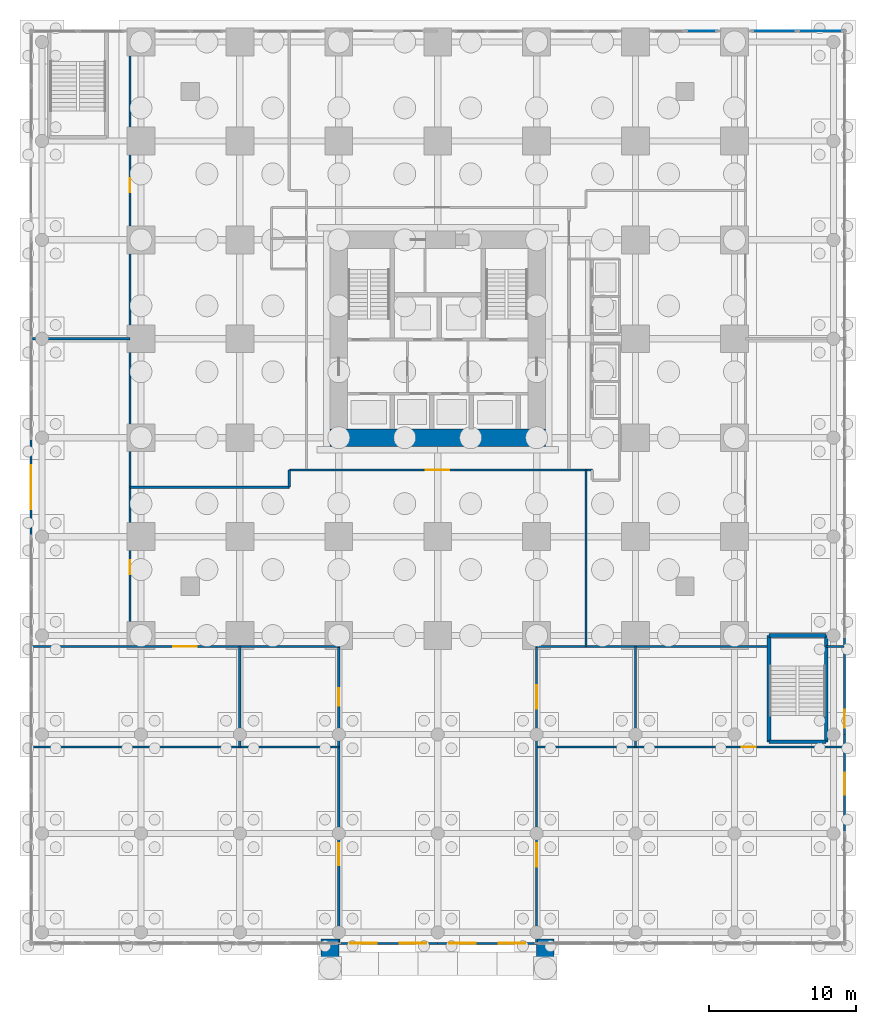
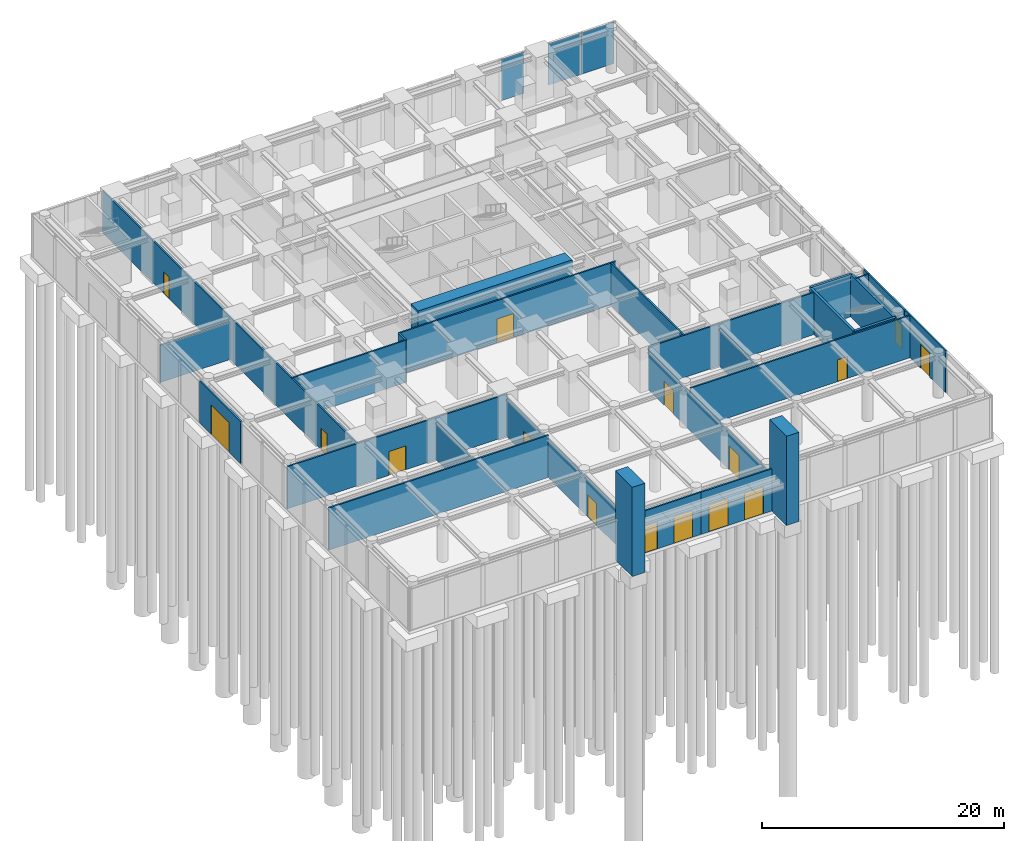
# One storey, part 9 of 14: 27 walls, 16 doors, 3 plates, 16 openings, 2 elements without a shape of their own.
"""IFC4 building model written with IfcOpenShell, lengths in metres."""

from ifc_helpers import new_model, si_unit, direction, frame, frame_2d, origin, origin_2d, place, context, subcontext, project, spatial, rectangle, extrude, material, layer, layer_set, type_object, element, fill, aggregate, save


model = new_model("IFC4")

# Units and contexts
model_context = context("Model", 3, precision=1e-05, world=origin(), true_north=direction((0.0, 1.0)))
body_context = subcontext(model_context, "Body", "Model", "MODEL_VIEW")
ifc_project = project(units=[si_unit("LENGTHUNIT", "METRE"), si_unit("AREAUNIT", "SQUARE_METRE"), si_unit("VOLUMEUNIT", "CUBIC_METRE"), si_unit("PLANEANGLEUNIT", "RADIAN"), si_unit("MASSUNIT", "GRAM", prefix="KILO")], contexts=[model_context])

# Site, building, storey
site_placement = place(None, origin())
site = spatial("IfcSite", under=ifc_project, at=site_placement, CompositionType="ELEMENT")
building_placement = place(site_placement, origin())
building = spatial("IfcBuilding", under=site, at=building_placement, Name="Nyansa Garden Tower", CompositionType="ELEMENT")
storey_placement = place(building_placement, origin())
storey = spatial("IfcBuildingStorey", under=building, at=storey_placement, Name="L00", CompositionType="ELEMENT", Elevation=0.0)

# Curtain wall, plates
ifc_material_1 = material(Name="Black anodised aluminium, clear double glazing", Category="aluminium")
curtain_wall_type = type_object("IfcCurtainWallType", Name="Podium curtain wall PCW", PredefinedType="USERDEFINED", material=ifc_material_1)
curtain_wall_1_placement = place(storey_placement, origin())
curtain_wall_1 = element("IfcCurtainWall", 1, at=curtain_wall_1_placement, inside=storey, type_object=curtain_wall_type, Name="Podium curtain wall L00 N", ObjectType="STICK CURTAIN WALL", PredefinedType="USERDEFINED")
ifc_material_2 = material(Name="Clear laminated double glazing", Category="glass")
ifc_layer_1 = layer(ifc_material_2, 0.0380859375)
ifc_layer_set_1 = layer_set([ifc_layer_1], Name="Podium vision panel VP-P")
plate_type = type_object("IfcPlateType", Name="Podium vision panel VP-P", PredefinedType="CURTAIN_PANEL", material=ifc_layer_set_1)
plate_1_placement = place(storey_placement, frame((46.376220703125, 41.25, 0.0), z_axis=(0.0, 0.0, 1.0), x_axis=(-1.0, 0.0, 0.0)))
plate_1 = element("IfcPlate", 2, at=plate_1_placement, type_object=plate_type, Name="PCW panel 1", PredefinedType="CURTAIN_PANEL", context=body_context, shape_type="SweptSolid", body=[
    extrude(rectangle(XDim=3.08740234375, YDim=0.0380859375, at=origin_2d()), origin(), (0.0, 0.0, 1.0), 4.169921875),
])
plate_2_placement = place(storey_placement, frame((43.208740234375, 41.25, 0.0), z_axis=(0.0, 0.0, 1.0), x_axis=(-1.0, 0.0, 0.0)))
plate_2 = element("IfcPlate", 3, at=plate_2_placement, type_object=plate_type, Name="PCW panel 2", PredefinedType="CURTAIN_PANEL", context=body_context, shape_type="SweptSolid", body=[
    extrude(rectangle(XDim=3.08740234375, YDim=0.0380859375, at=origin_2d()), origin(), (0.0, 0.0, 1.0), 4.169921875),
])
aggregate(curtain_wall_1, [plate_1, plate_2])

# Curtain wall, plate
curtain_wall_2_placement = place(storey_placement, origin())
curtain_wall_2 = element("IfcCurtainWall", 4, at=curtain_wall_2_placement, inside=storey, type_object=curtain_wall_type, Name="Podium curtain wall L00 N", ObjectType="STICK CURTAIN WALL", PredefinedType="USERDEFINED")
plate_3_placement = place(storey_placement, frame((38.25, 41.25, 0.0), z_axis=(0.0, 0.0, 1.0), x_axis=(-1.0, 0.0, 0.0)))
plate_3 = element("IfcPlate", 5, at=plate_3_placement, type_object=plate_type, Name="PCW panel 1", PredefinedType="CURTAIN_PANEL", context=body_context, shape_type="SweptSolid", body=[
    extrude(rectangle(XDim=2.169921875, YDim=0.0380859375, at=origin_2d()), origin(), (0.0, 0.0, 1.0), 4.169921875),
])
aggregate(curtain_wall_2, [plate_3])

# Wall, opening, door
ifc_material_3 = material(Name="Black aluminium framed glazed screen", Category="aluminium")
ifc_layer_2 = layer(ifc_material_3, 0.14990234375)
ifc_layer_set_2 = layer_set([ifc_layer_2], Name="Balcony screen wall BW150")
wall_type_1 = type_object("IfcWallType", Name="Balcony screen wall BW150", PredefinedType="SOLIDWALL", material=ifc_layer_set_2)
wall_1_placement = place(storey_placement, frame((48.0, -6.75, 0.0), z_axis=(0.0, 0.0, 1.0), x_axis=(0.0, -1.0, 0.0)))
wall_1 = element("IfcWall", 6, at=wall_1_placement, inside=storey, type_object=wall_type_1, Name="Glazed screen wall L00 E", PredefinedType="SOLIDWALL", context=body_context, shape_type="SweptSolid", body=[
    extrude(rectangle(XDim=6.75, YDim=0.14990234375, at=frame_2d((3.375, 0.0))), origin(), (0.0, 0.0, 1.0), 4.25),
])
opening_1_placement = place(wall_1_placement, frame((2.625, 0.0, 0.0)))
opening_1 = element("IfcOpeningElement", 7, at=opening_1_placement, cuts=wall_1, Name="Opening D32", PredefinedType="OPENING", context=body_context, shape_type="SweptSolid", body=[
    extrude(rectangle(XDim=1.5, YDim=2.39990234375, at=frame_2d((0.75, 1.199951171875))), frame((0.0, 0.0849609375, 0.0), z_axis=(0.0, -1.0, 0.0), x_axis=(1.0, 0.0, 0.0)), (0.0, 0.0, 1.0), 0.169921875),
])
ifc_material_4 = material(Name="Steel door, powder coated", Category="steel")
door_type_1 = type_object("IfcDoorType", Name="Bicycle store door D32 1500x2400", OperationType="DOUBLE_DOOR_SINGLE_SWING", PredefinedType="DOOR", material=ifc_material_4)
door_1_placement = place(opening_1_placement, origin())
door_1 = element("IfcDoor", 8, at=door_1_placement, inside=storey, type_object=door_type_1, Name="Bicycle store door", OperationType="DOUBLE_DOOR_SINGLE_SWING", OverallHeight=2.39990234375, OverallWidth=1.5, PredefinedType="DOOR", context=body_context, shape_type="SweptSolid", body=[
    extrude(rectangle(XDim=1.5, YDim=2.39990234375, at=frame_2d((0.75, 1.199951171875))), frame((0.0, 0.02490234375, 0.0), z_axis=(0.0, -1.0, 0.0), x_axis=(1.0, 0.0, 0.0)), (0.0, 0.0, 1.0), 0.050048828125),
])
fill(opening_1, door_1)

wall_2_placement = place(storey_placement, frame((48.0, 0.0, 0.0), z_axis=(0.0, 0.0, 1.0), x_axis=(0.0, -1.0, 0.0)))
wall_2 = element("IfcWall", 9, at=wall_2_placement, inside=storey, type_object=wall_type_1, Name="Glazed screen wall L00 E", PredefinedType="SOLIDWALL", context=body_context, shape_type="SweptSolid", body=[
    extrude(rectangle(XDim=6.75, YDim=0.14990234375, at=frame_2d((3.375, 0.0))), origin(), (0.0, 0.0, 1.0), 4.25),
])
opening_2_placement = place(wall_2_placement, frame((5.074951171875, 0.0, 0.0)))
opening_2 = element("IfcOpeningElement", 10, at=opening_2_placement, cuts=wall_2, Name="Opening D31", PredefinedType="OPENING", context=body_context, shape_type="SweptSolid", body=[
    extrude(rectangle(XDim=1.199951171875, YDim=2.39990234375, at=frame_2d((0.60009765625, 1.199951171875))), frame((0.0, 0.0849609375, 0.0), z_axis=(0.0, -1.0, 0.0), x_axis=(1.0, 0.0, 0.0)), (0.0, 0.0, 1.0), 0.169921875),
])
ifc_material_5 = material(Name="Steel door, powder coated", Category="steel")
door_type_2 = type_object("IfcDoorType", Name="Exit door D31 1200x2400", OperationType="SINGLE_SWING_LEFT", PredefinedType="DOOR", material=ifc_material_5)
door_2_placement = place(opening_2_placement, origin())
door_2 = element("IfcDoor", 11, at=door_2_placement, inside=storey, type_object=door_type_2, Name="Exit door stair E", OperationType="SINGLE_SWING_LEFT", OverallHeight=2.39990234375, OverallWidth=1.199951171875, PredefinedType="DOOR", context=body_context, shape_type="SweptSolid", body=[
    extrude(rectangle(XDim=1.199951171875, YDim=2.39990234375, at=frame_2d((0.60009765625, 1.199951171875))), frame((0.0, 0.02490234375, 0.0), z_axis=(0.0, -1.0, 0.0), x_axis=(1.0, 0.0, 0.0)), (0.0, 0.0, 1.0), 0.050048828125),
])
fill(opening_2, door_2)

wall_3_placement = place(storey_placement, frame((-7.5, 6.75, 0.0), z_axis=(0.0, 0.0, 1.0), x_axis=(0.0, 1.0, 0.0)))
wall_3 = element("IfcWall", 12, at=wall_3_placement, inside=storey, type_object=wall_type_1, Name="Glazed screen wall L00 W", PredefinedType="SOLIDWALL", context=body_context, shape_type="SweptSolid", body=[
    extrude(rectangle(XDim=6.75, YDim=0.14990234375, at=frame_2d((3.375, 0.0))), origin(), (0.0, 0.0, 1.0), 4.25),
])
opening_3_placement = place(wall_3_placement, frame((1.875, 0.0, 0.0)))
opening_3 = element("IfcOpeningElement", 13, at=opening_3_placement, cuts=wall_3, Name="Opening D40", PredefinedType="OPENING", context=body_context, shape_type="SweptSolid", body=[
    extrude(rectangle(XDim=3.0, YDim=3.0, at=frame_2d((1.5, 1.5))), frame((0.0, 0.0849609375, 0.0), z_axis=(0.0, -1.0, 0.0), x_axis=(1.0, 0.0, 0.0)), (0.0, 0.0, 1.0), 0.169921875),
])
ifc_material_6 = material(Name="Galvanised steel roller shutter, powder coated", Category="steel")
door_type_3 = type_object("IfcDoorType", Name="Service roller shutter D40 3000x3000", OperationType="ROLLINGUP", PredefinedType="DOOR", material=ifc_material_6)
door_3_placement = place(opening_3_placement, origin())
door_3 = element("IfcDoor", 14, at=door_3_placement, inside=storey, type_object=door_type_3, Name="Service roller shutter", OperationType="ROLLINGUP", OverallHeight=3.0, OverallWidth=3.0, PredefinedType="DOOR", context=body_context, shape_type="SweptSolid", body=[
    extrude(rectangle(XDim=3.0, YDim=3.0, at=frame_2d((1.5, 1.5))), frame((0.0, 0.02490234375, 0.0), z_axis=(0.0, -1.0, 0.0), x_axis=(1.0, 0.0, 0.0)), (0.0, 0.0, 1.0), 0.050048828125),
])
fill(opening_3, door_3)

# Wall, openings, doors
wall_4_placement = place(storey_placement, frame((20.25, -21.0, 0.0), z_axis=(0.0, 0.0, 1.0), x_axis=(-1.0, 0.0, 0.0)))
wall_4 = element("IfcWall", 15, at=wall_4_placement, inside=storey, type_object=wall_type_1, Name="Glazed screen wall L00 S", PredefinedType="SOLIDWALL", context=body_context, shape_type="SweptSolid", body=[
    extrude(rectangle(XDim=6.75, YDim=0.14990234375, at=frame_2d((3.375, 0.0))), origin(), (0.0, 0.0, 1.0), 4.25),
])
opening_4_placement = place(wall_4_placement, frame((0.78759765625, 0.0, 0.0)))
opening_4 = element("IfcOpeningElement", 16, at=opening_4_placement, cuts=wall_4, Name="Opening D30", PredefinedType="OPENING", context=body_context, shape_type="SweptSolid", body=[
    extrude(rectangle(XDim=1.800048828125, YDim=2.699951171875, at=frame_2d((0.89990234375, 1.35009765625))), frame((0.0, 0.0849609375, 0.0), z_axis=(0.0, -1.0, 0.0), x_axis=(1.0, 0.0, 0.0)), (0.0, 0.0, 1.0), 0.169921875),
])
opening_5_placement = place(wall_4_placement, frame((4.16259765625, 0.0, 0.0)))
opening_5 = element("IfcOpeningElement", 17, at=opening_5_placement, cuts=wall_4, Name="Opening D30", PredefinedType="OPENING", context=body_context, shape_type="SweptSolid", body=[
    extrude(rectangle(XDim=1.800048828125, YDim=2.699951171875, at=frame_2d((0.89990234375, 1.35009765625))), frame((0.0, 0.0849609375, 0.0), z_axis=(0.0, -1.0, 0.0), x_axis=(1.0, 0.0, 0.0)), (0.0, 0.0, 1.0), 0.169921875),
])
ifc_material_7 = material(Name="Black aluminium framed glazed door", Category="aluminium")
door_type_4 = type_object("IfcDoorType", Name="Entrance door D30 1800x2700", OperationType="DOUBLE_DOOR_SINGLE_SWING", PredefinedType="DOOR", material=ifc_material_7)
door_4_placement = place(opening_4_placement, origin())
door_4 = element("IfcDoor", 18, at=door_4_placement, inside=storey, type_object=door_type_4, Name="Entrance door S1", OperationType="DOUBLE_DOOR_SINGLE_SWING", OverallHeight=2.699951171875, OverallWidth=1.800048828125, PredefinedType="DOOR", context=body_context, shape_type="SweptSolid", body=[
    extrude(rectangle(XDim=1.800048828125, YDim=2.699951171875, at=frame_2d((0.89990234375, 1.35009765625))), frame((0.0, 0.02490234375, 0.0), z_axis=(0.0, -1.0, 0.0), x_axis=(1.0, 0.0, 0.0)), (0.0, 0.0, 1.0), 0.050048828125),
])
fill(opening_4, door_4)
door_5_placement = place(opening_5_placement, origin())
door_5 = element("IfcDoor", 19, at=door_5_placement, inside=storey, type_object=door_type_4, Name="Entrance door S2", OperationType="DOUBLE_DOOR_SINGLE_SWING", OverallHeight=2.699951171875, OverallWidth=1.800048828125, PredefinedType="DOOR", context=body_context, shape_type="SweptSolid", body=[
    extrude(rectangle(XDim=1.800048828125, YDim=2.699951171875, at=frame_2d((0.89990234375, 1.35009765625))), frame((0.0, 0.02490234375, 0.0), z_axis=(0.0, -1.0, 0.0), x_axis=(1.0, 0.0, 0.0)), (0.0, 0.0, 1.0), 0.050048828125),
])
fill(opening_5, door_5)

wall_5_placement = place(storey_placement, frame((27.0, -21.0, 0.0), z_axis=(0.0, 0.0, 1.0), x_axis=(-1.0, 0.0, 0.0)))
wall_5 = element("IfcWall", 20, at=wall_5_placement, inside=storey, type_object=wall_type_1, Name="Glazed screen wall L00 S", PredefinedType="SOLIDWALL", context=body_context, shape_type="SweptSolid", body=[
    extrude(rectangle(XDim=6.75, YDim=0.14990234375, at=frame_2d((3.375, 0.0))), origin(), (0.0, 0.0, 1.0), 4.25),
])
opening_6_placement = place(wall_5_placement, frame((0.78759765625, 0.0, 0.0)))
opening_6 = element("IfcOpeningElement", 21, at=opening_6_placement, cuts=wall_5, Name="Opening D30", PredefinedType="OPENING", context=body_context, shape_type="SweptSolid", body=[
    extrude(rectangle(XDim=1.800048828125, YDim=2.699951171875, at=frame_2d((0.89990234375, 1.35009765625))), frame((0.0, 0.0849609375, 0.0), z_axis=(0.0, -1.0, 0.0), x_axis=(1.0, 0.0, 0.0)), (0.0, 0.0, 1.0), 0.169921875),
])
opening_7_placement = place(wall_5_placement, frame((4.16259765625, 0.0, 0.0)))
opening_7 = element("IfcOpeningElement", 22, at=opening_7_placement, cuts=wall_5, Name="Opening D30", PredefinedType="OPENING", context=body_context, shape_type="SweptSolid", body=[
    extrude(rectangle(XDim=1.800048828125, YDim=2.699951171875, at=frame_2d((0.89990234375, 1.35009765625))), frame((0.0, 0.0849609375, 0.0), z_axis=(0.0, -1.0, 0.0), x_axis=(1.0, 0.0, 0.0)), (0.0, 0.0, 1.0), 0.169921875),
])
door_6_placement = place(opening_6_placement, origin())
door_6 = element("IfcDoor", 23, at=door_6_placement, inside=storey, type_object=door_type_4, Name="Entrance door S1", OperationType="DOUBLE_DOOR_SINGLE_SWING", OverallHeight=2.699951171875, OverallWidth=1.800048828125, PredefinedType="DOOR", context=body_context, shape_type="SweptSolid", body=[
    extrude(rectangle(XDim=1.800048828125, YDim=2.699951171875, at=frame_2d((0.89990234375, 1.35009765625))), frame((0.0, 0.02490234375, 0.0), z_axis=(0.0, -1.0, 0.0), x_axis=(1.0, 0.0, 0.0)), (0.0, 0.0, 1.0), 0.050048828125),
])
fill(opening_6, door_6)
door_7_placement = place(opening_7_placement, origin())
door_7 = element("IfcDoor", 24, at=door_7_placement, inside=storey, type_object=door_type_4, Name="Entrance door S2", OperationType="DOUBLE_DOOR_SINGLE_SWING", OverallHeight=2.699951171875, OverallWidth=1.800048828125, PredefinedType="DOOR", context=body_context, shape_type="SweptSolid", body=[
    extrude(rectangle(XDim=1.800048828125, YDim=2.699951171875, at=frame_2d((0.89990234375, 1.35009765625))), frame((0.0, 0.02490234375, 0.0), z_axis=(0.0, -1.0, 0.0), x_axis=(1.0, 0.0, 0.0)), (0.0, 0.0, 1.0), 0.050048828125),
])
fill(opening_7, door_7)

# Walls
ifc_material_8 = material(Name="Concrete C80/95", Category="concrete")
ifc_layer_3 = layer(ifc_material_8, 1.199951171875)
ifc_layer_set_3 = layer_set([ifc_layer_3], Name="Core wall CW1200")
wall_type_2 = type_object("IfcWallType", Name="Core wall CW1200", PredefinedType="SHEAR", material=ifc_layer_set_3)
wall_6_placement = place(storey_placement, frame((12.89990234375, 13.5, 0.0), z_axis=(0.0, 0.0, 1.0), x_axis=(1.0, 0.0, 0.0)))
element("IfcWall", 25, at=wall_6_placement, inside=storey, type_object=wall_type_2, Name="Core wall S L00", PredefinedType="SHEAR", context=body_context, shape_type="SweptSolid", body=[
    extrude(rectangle(XDim=14.7001953125, YDim=1.199951171875, at=frame_2d((7.35009765625, 0.0))), origin(), (0.0, 0.0, 1.0), 4.5),
])
ifc_material_9 = material(Name="Blockwork, plastered both sides", Category="masonry")
ifc_layer_4 = layer(ifc_material_9, 0.14990234375)
ifc_layer_set_4 = layer_set([ifc_layer_4], Name="Partition PW150")
wall_type_3 = type_object("IfcWallType", Name="Partition PW150", PredefinedType="PARTITIONING", material=ifc_layer_set_4)
wall_7_placement = place(storey_placement, frame((-7.48388671875, -7.60009765625, 0.0), z_axis=(0.0, 0.0, 1.0), x_axis=(1.0, 0.0, 0.0)))
element("IfcWall", 26, at=wall_7_placement, inside=storey, type_object=wall_type_3, Name="Partition", PredefinedType="PARTITIONING", context=body_context, shape_type="SweptSolid", body=[
    extrude(rectangle(XDim=20.98388671875, YDim=0.14990234375, at=frame_2d((10.491943359375, 0.0))), origin(), (0.0, 0.0, 1.0), 4.25),
])

# Wall, opening, door
wall_8_placement = place(storey_placement, frame((-7.48388671875, -0.75, 0.0), z_axis=(0.0, 0.0, 1.0), x_axis=(1.0, 0.0, 0.0)))
wall_8 = element("IfcWall", 27, at=wall_8_placement, inside=storey, type_object=wall_type_3, Name="Partition", PredefinedType="PARTITIONING", context=body_context, shape_type="SweptSolid", body=[
    extrude(rectangle(XDim=20.98388671875, YDim=0.14990234375, at=frame_2d((10.491943359375, 0.0))), origin(), (0.0, 0.0, 1.0), 4.25),
])
opening_8_placement = place(wall_8_placement, frame((9.68408203125, 0.0, 0.0)))
opening_8 = element("IfcOpeningElement", 28, at=opening_8_placement, cuts=wall_8, Name="Opening D12", PredefinedType="OPENING", context=body_context, shape_type="SweptSolid", body=[
    extrude(rectangle(XDim=1.60009765625, YDim=2.39990234375, at=frame_2d((0.800048828125, 1.199951171875))), frame((0.0, 0.0849609375, 0.0), z_axis=(0.0, -1.0, 0.0), x_axis=(1.0, 0.0, 0.0)), (0.0, 0.0, 1.0), 0.169921875),
])
ifc_material_10 = material(Name="Black aluminium glazed door, 60 minute fire resisting", Category="aluminium")
door_type_5 = type_object("IfcDoorType", Name="Amenity door D12 1600x2400", OperationType="DOUBLE_DOOR_SINGLE_SWING", PredefinedType="DOOR", material=ifc_material_10)
door_8_placement = place(opening_8_placement, origin())
door_8 = element("IfcDoor", 29, at=door_8_placement, inside=storey, type_object=door_type_5, Name="Door L00-026", OperationType="DOUBLE_DOOR_SINGLE_SWING", OverallHeight=2.39990234375, OverallWidth=1.60009765625, PredefinedType="DOOR", context=body_context, shape_type="SweptSolid", body=[
    extrude(rectangle(XDim=1.60009765625, YDim=2.39990234375, at=frame_2d((0.800048828125, 1.199951171875))), frame((0.0, 0.02490234375, 0.0), z_axis=(0.0, -1.0, 0.0), x_axis=(1.0, 0.0, 0.0)), (0.0, 0.0, 1.0), 0.050048828125),
])
fill(opening_8, door_8)

# Wall
wall_9_placement = place(storey_placement, frame((-7.48388671875, 20.25, 0.0), z_axis=(0.0, 0.0, 1.0), x_axis=(1.0, 0.0, 0.0)))
element("IfcWall", 30, at=wall_9_placement, inside=storey, type_object=wall_type_3, Name="Partition", PredefinedType="PARTITIONING", context=body_context, shape_type="SweptSolid", body=[
    extrude(rectangle(XDim=6.73388671875, YDim=0.14990234375, at=frame_2d((3.366943359375, 0.0))), origin(), (0.0, 0.0, 1.0), 3.751953125),
])

# Wall, openings, doors
wall_10_placement = place(storey_placement, frame((-0.75, -0.75, 0.0), z_axis=(0.0, 0.0, 1.0), x_axis=(0.0, 1.0, 0.0)))
wall_10 = element("IfcWall", 31, at=wall_10_placement, inside=storey, type_object=wall_type_3, Name="Partition", PredefinedType="PARTITIONING", context=body_context, shape_type="SweptSolid", body=[
    extrude(rectangle(XDim=41.98388671875, YDim=0.14990234375, at=frame_2d((20.991943359375, 0.0))), origin(), (0.0, 0.0, 1.0), 4.25),
])
opening_9_placement = place(wall_10_placement, frame((4.949951171875, 0.0, 0.0)))
opening_9 = element("IfcOpeningElement", 32, at=opening_9_placement, cuts=wall_10, Name="Opening D01", PredefinedType="OPENING", context=body_context, shape_type="SweptSolid", body=[
    extrude(rectangle(XDim=0.949951171875, YDim=2.199951171875, at=frame_2d((0.47509765625, 1.10009765625))), frame((0.0, 0.0849609375, 0.0), z_axis=(0.0, -1.0, 0.0), x_axis=(1.0, 0.0, 0.0)), (0.0, 0.0, 1.0), 0.169921875),
])
opening_10_placement = place(wall_10_placement, frame((31.0, 0.0, 0.0)))
opening_10 = element("IfcOpeningElement", 33, at=opening_10_placement, cuts=wall_10, Name="Opening D01", PredefinedType="OPENING", context=body_context, shape_type="SweptSolid", body=[
    extrude(rectangle(XDim=0.949951171875, YDim=2.199951171875, at=frame_2d((0.47509765625, 1.10009765625))), frame((0.0, 0.0849609375, 0.0), z_axis=(0.0, -1.0, 0.0), x_axis=(1.0, 0.0, 0.0)), (0.0, 0.0, 1.0), 0.169921875),
])
ifc_material_11 = material(Name="Timber flush door, 30 minute fire resisting", Category="wood")
door_type_6 = type_object("IfcDoorType", Name="Bedroom door D01 950x2200", OperationType="SINGLE_SWING_LEFT", PredefinedType="DOOR", material=ifc_material_11)
door_9_placement = place(opening_9_placement, origin())
door_9 = element("IfcDoor", 34, at=door_9_placement, inside=storey, type_object=door_type_6, Name="Door L00-030", OperationType="SINGLE_SWING_LEFT", OverallHeight=2.199951171875, OverallWidth=0.949951171875, PredefinedType="DOOR", context=body_context, shape_type="SweptSolid", body=[
    extrude(rectangle(XDim=0.949951171875, YDim=2.199951171875, at=frame_2d((0.47509765625, 1.10009765625))), frame((0.0, 0.02490234375, 0.0), z_axis=(0.0, -1.0, 0.0), x_axis=(1.0, 0.0, 0.0)), (0.0, 0.0, 1.0), 0.050048828125),
])
fill(opening_9, door_9)
door_10_placement = place(opening_10_placement, origin())
door_10 = element("IfcDoor", 35, at=door_10_placement, inside=storey, type_object=door_type_6, Name="Door L00-031", OperationType="SINGLE_SWING_LEFT", OverallHeight=2.199951171875, OverallWidth=0.949951171875, PredefinedType="DOOR", context=body_context, shape_type="SweptSolid", body=[
    extrude(rectangle(XDim=0.949951171875, YDim=2.199951171875, at=frame_2d((0.47509765625, 1.10009765625))), frame((0.0, 0.02490234375, 0.0), z_axis=(0.0, -1.0, 0.0), x_axis=(1.0, 0.0, 0.0)), (0.0, 0.0, 1.0), 0.050048828125),
])
fill(opening_10, door_10)

# Walls
wall_11_placement = place(storey_placement, frame((-0.75, 10.125, 0.0), z_axis=(0.0, 0.0, 1.0), x_axis=(1.0, 0.0, 0.0)))
element("IfcWall", 36, at=wall_11_placement, inside=storey, type_object=wall_type_3, Name="Partition", PredefinedType="PARTITIONING", context=body_context, shape_type="SweptSolid", body=[
    extrude(rectangle(XDim=10.875, YDim=0.14990234375, at=frame_2d((5.4375, 0.0))), origin(), (0.0, 0.0, 1.0), 4.25),
])
wall_12_placement = place(storey_placement, frame((6.75, -7.60009765625, 0.0), z_axis=(0.0, 0.0, 1.0), x_axis=(0.0, 1.0, 0.0)))
element("IfcWall", 37, at=wall_12_placement, inside=storey, type_object=wall_type_3, Name="Partition", PredefinedType="PARTITIONING", context=body_context, shape_type="SweptSolid", body=[
    extrude(rectangle(XDim=6.85009765625, YDim=0.14990234375, at=frame_2d((3.425048828125, 0.0))), origin(), (0.0, 0.0, 1.0), 3.751953125),
])
wall_13_placement = place(storey_placement, frame((10.125, 10.125, 0.0), z_axis=(0.0, 0.0, 1.0), x_axis=(0.0, 1.0, 0.0)))
element("IfcWall", 38, at=wall_13_placement, inside=storey, type_object=wall_type_3, Name="Partition", PredefinedType="PARTITIONING", context=body_context, shape_type="SweptSolid", body=[
    extrude(rectangle(XDim=1.175048828125, YDim=0.14990234375, at=frame_2d((0.58740234375, 0.0))), origin(), (0.0, 0.0, 1.0), 4.25),
])

# Wall, opening, door
wall_14_placement = place(storey_placement, frame((10.125, 11.300048828125, 0.0), z_axis=(0.0, 0.0, 1.0), x_axis=(1.0, 0.0, 0.0)))
wall_14 = element("IfcWall", 39, at=wall_14_placement, inside=storey, type_object=wall_type_3, Name="Partition", PredefinedType="PARTITIONING", context=body_context, shape_type="SweptSolid", body=[
    extrude(rectangle(XDim=20.675048828125, YDim=0.14990234375, at=frame_2d((10.33740234375, 0.0))), origin(), (0.0, 0.0, 1.0), 4.25),
])
opening_11_placement = place(wall_14_placement, frame((9.324951171875, 0.0, 0.0)))
opening_11 = element("IfcOpeningElement", 40, at=opening_11_placement, cuts=wall_14, Name="Opening D12", PredefinedType="OPENING", context=body_context, shape_type="SweptSolid", body=[
    extrude(rectangle(XDim=1.60009765625, YDim=2.39990234375, at=frame_2d((0.800048828125, 1.199951171875))), frame((0.0, 0.0849609375, 0.0), z_axis=(0.0, -1.0, 0.0), x_axis=(1.0, 0.0, 0.0)), (0.0, 0.0, 1.0), 0.169921875),
])
door_11_placement = place(opening_11_placement, origin())
door_11 = element("IfcDoor", 41, at=door_11_placement, inside=storey, type_object=door_type_5, Name="Door L00-016", OperationType="DOUBLE_DOOR_SINGLE_SWING", OverallHeight=2.39990234375, OverallWidth=1.60009765625, PredefinedType="DOOR", context=body_context, shape_type="SweptSolid", body=[
    extrude(rectangle(XDim=1.60009765625, YDim=2.39990234375, at=frame_2d((0.800048828125, 1.199951171875))), frame((0.0, 0.02490234375, 0.0), z_axis=(0.0, -1.0, 0.0), x_axis=(1.0, 0.0, 0.0)), (0.0, 0.0, 1.0), 0.050048828125),
])
fill(opening_11, door_11)

# Wall, openings, doors
wall_15_placement = place(storey_placement, frame((13.5, -20.98388671875, 0.0), z_axis=(0.0, 0.0, 1.0), x_axis=(0.0, 1.0, 0.0)))
wall_15 = element("IfcWall", 42, at=wall_15_placement, inside=storey, type_object=wall_type_3, Name="Partition", PredefinedType="PARTITIONING", context=body_context, shape_type="SweptSolid", body=[
    extrude(rectangle(XDim=20.23388671875, YDim=0.14990234375, at=frame_2d((10.116943359375, 0.0))), origin(), (0.0, 0.0, 1.0), 3.751953125),
])
opening_12_placement = place(wall_15_placement, frame((5.324951171875, 0.0, 0.0)))
opening_12 = element("IfcOpeningElement", 43, at=opening_12_placement, cuts=wall_15, Name="Opening D10", PredefinedType="OPENING", context=body_context, shape_type="SweptSolid", body=[
    extrude(rectangle(XDim=1.5, YDim=2.199951171875, at=frame_2d((0.75, 1.10009765625))), frame((0.0, 0.0849609375, 0.0), z_axis=(0.0, -1.0, 0.0), x_axis=(1.0, 0.0, 0.0)), (0.0, 0.0, 1.0), 0.169921875),
])
opening_13_placement = place(wall_15_placement, frame((16.18408203125, 0.0, 0.0)))
opening_13 = element("IfcOpeningElement", 44, at=opening_13_placement, cuts=wall_15, Name="Opening D06", PredefinedType="OPENING", context=body_context, shape_type="SweptSolid", body=[
    extrude(rectangle(XDim=1.199951171875, YDim=2.199951171875, at=frame_2d((0.60009765625, 1.10009765625))), frame((0.0, 0.0849609375, 0.0), z_axis=(0.0, -1.0, 0.0), x_axis=(1.0, 0.0, 0.0)), (0.0, 0.0, 1.0), 0.169921875),
])
ifc_material_12 = material(Name="Steel door, 120 minute fire resisting", Category="steel")
door_type_7 = type_object("IfcDoorType", Name="Lobby door D06 1200x2200", OperationType="DOUBLE_DOOR_SINGLE_SWING", PredefinedType="DOOR", material=ifc_material_12)
door_12_placement = place(opening_13_placement, origin())
door_12 = element("IfcDoor", 45, at=door_12_placement, inside=storey, type_object=door_type_7, Name="Door L00-027", OperationType="DOUBLE_DOOR_SINGLE_SWING", OverallHeight=2.199951171875, OverallWidth=1.199951171875, PredefinedType="DOOR", context=body_context, shape_type="SweptSolid", body=[
    extrude(rectangle(XDim=1.199951171875, YDim=2.199951171875, at=frame_2d((0.60009765625, 1.10009765625))), frame((0.0, 0.02490234375, 0.0), z_axis=(0.0, -1.0, 0.0), x_axis=(1.0, 0.0, 0.0)), (0.0, 0.0, 1.0), 0.050048828125),
])
fill(opening_13, door_12)
ifc_material_13 = material(Name="Timber glazed door, 60 minute fire resisting", Category="wood")
door_type_8 = type_object("IfcDoorType", Name="Lounge door D10 1500x2200", OperationType="DOUBLE_DOOR_SINGLE_SWING", PredefinedType="DOOR", material=ifc_material_13)
door_13_placement = place(opening_12_placement, origin())
door_13 = element("IfcDoor", 46, at=door_13_placement, inside=storey, type_object=door_type_8, Name="Door L00-017", OperationType="DOUBLE_DOOR_SINGLE_SWING", OverallHeight=2.199951171875, OverallWidth=1.5, PredefinedType="DOOR", context=body_context, shape_type="SweptSolid", body=[
    extrude(rectangle(XDim=1.5, YDim=2.199951171875, at=frame_2d((0.75, 1.10009765625))), frame((0.0, 0.02490234375, 0.0), z_axis=(0.0, -1.0, 0.0), x_axis=(1.0, 0.0, 0.0)), (0.0, 0.0, 1.0), 0.050048828125),
])
fill(opening_12, door_13)

wall_16_placement = place(storey_placement, frame((27.0, -20.98388671875, 0.0), z_axis=(0.0, 0.0, 1.0), x_axis=(0.0, 1.0, 0.0)))
wall_16 = element("IfcWall", 47, at=wall_16_placement, inside=storey, type_object=wall_type_3, Name="Partition", PredefinedType="PARTITIONING", context=body_context, shape_type="SweptSolid", body=[
    extrude(rectangle(XDim=20.23388671875, YDim=0.14990234375, at=frame_2d((10.116943359375, 0.0))), origin(), (0.0, 0.0, 1.0), 3.751953125),
])
opening_14_placement = place(wall_16_placement, frame((5.22509765625, 0.0, 0.0)))
opening_14 = element("IfcOpeningElement", 48, at=opening_14_placement, cuts=wall_16, Name="Opening D12", PredefinedType="OPENING", context=body_context, shape_type="SweptSolid", body=[
    extrude(rectangle(XDim=1.60009765625, YDim=2.39990234375, at=frame_2d((0.800048828125, 1.199951171875))), frame((0.0, 0.0849609375, 0.0), z_axis=(0.0, -1.0, 0.0), x_axis=(1.0, 0.0, 0.0)), (0.0, 0.0, 1.0), 0.169921875),
])
opening_15_placement = place(wall_16_placement, frame((15.98388671875, 0.0, 0.0)))
opening_15 = element("IfcOpeningElement", 49, at=opening_15_placement, cuts=wall_16, Name="Opening D12", PredefinedType="OPENING", context=body_context, shape_type="SweptSolid", body=[
    extrude(rectangle(XDim=1.60009765625, YDim=2.39990234375, at=frame_2d((0.800048828125, 1.199951171875))), frame((0.0, 0.0849609375, 0.0), z_axis=(0.0, -1.0, 0.0), x_axis=(1.0, 0.0, 0.0)), (0.0, 0.0, 1.0), 0.169921875),
])
door_14_placement = place(opening_14_placement, origin())
door_14 = element("IfcDoor", 50, at=door_14_placement, inside=storey, type_object=door_type_5, Name="Door L00-018", OperationType="DOUBLE_DOOR_SINGLE_SWING", OverallHeight=2.39990234375, OverallWidth=1.60009765625, PredefinedType="DOOR", context=body_context, shape_type="SweptSolid", body=[
    extrude(rectangle(XDim=1.60009765625, YDim=2.39990234375, at=frame_2d((0.800048828125, 1.199951171875))), frame((0.0, 0.02490234375, 0.0), z_axis=(0.0, -1.0, 0.0), x_axis=(1.0, 0.0, 0.0)), (0.0, 0.0, 1.0), 0.050048828125),
])
fill(opening_14, door_14)
door_15_placement = place(opening_15_placement, origin())
door_15 = element("IfcDoor", 51, at=door_15_placement, inside=storey, type_object=door_type_5, Name="Door L00-028", OperationType="DOUBLE_DOOR_SINGLE_SWING", OverallHeight=2.39990234375, OverallWidth=1.60009765625, PredefinedType="DOOR", context=body_context, shape_type="SweptSolid", body=[
    extrude(rectangle(XDim=1.60009765625, YDim=2.39990234375, at=frame_2d((0.800048828125, 1.199951171875))), frame((0.0, 0.02490234375, 0.0), z_axis=(0.0, -1.0, 0.0), x_axis=(1.0, 0.0, 0.0)), (0.0, 0.0, 1.0), 0.050048828125),
])
fill(opening_15, door_15)

# Wall, opening, door
wall_17_placement = place(storey_placement, frame((27.0, -7.60009765625, 0.0), z_axis=(0.0, 0.0, 1.0), x_axis=(1.0, 0.0, 0.0)))
wall_17 = element("IfcWall", 52, at=wall_17_placement, inside=storey, type_object=wall_type_3, Name="Partition", PredefinedType="PARTITIONING", context=body_context, shape_type="SweptSolid", body=[
    extrude(rectangle(XDim=20.98388671875, YDim=0.14990234375, at=frame_2d((10.491943359375, 0.0))), origin(), (0.0, 0.0, 1.0), 4.25),
])
opening_16_placement = place(wall_17_placement, frame((14.0, 0.0, 0.0)))
opening_16 = element("IfcOpeningElement", 53, at=opening_16_placement, cuts=wall_17, Name="Opening D01", PredefinedType="OPENING", context=body_context, shape_type="SweptSolid", body=[
    extrude(rectangle(XDim=0.949951171875, YDim=2.199951171875, at=frame_2d((0.47509765625, 1.10009765625))), frame((0.0, 0.0849609375, 0.0), z_axis=(0.0, -1.0, 0.0), x_axis=(1.0, 0.0, 0.0)), (0.0, 0.0, 1.0), 0.169921875),
])
door_16_placement = place(opening_16_placement, origin())
door_16 = element("IfcDoor", 54, at=door_16_placement, inside=storey, type_object=door_type_6, Name="Door L00-029", OperationType="SINGLE_SWING_LEFT", OverallHeight=2.199951171875, OverallWidth=0.949951171875, PredefinedType="DOOR", context=body_context, shape_type="SweptSolid", body=[
    extrude(rectangle(XDim=0.949951171875, YDim=2.199951171875, at=frame_2d((0.47509765625, 1.10009765625))), frame((0.0, 0.02490234375, 0.0), z_axis=(0.0, -1.0, 0.0), x_axis=(1.0, 0.0, 0.0)), (0.0, 0.0, 1.0), 0.050048828125),
])
fill(opening_16, door_16)

# Walls
wall_18_placement = place(storey_placement, frame((27.0, -0.75, 0.0), z_axis=(0.0, 0.0, 1.0), x_axis=(1.0, 0.0, 0.0)))
element("IfcWall", 55, at=wall_18_placement, inside=storey, type_object=wall_type_3, Name="Partition", PredefinedType="PARTITIONING", context=body_context, shape_type="SweptSolid", body=[
    extrude(rectangle(XDim=15.85009765625, YDim=0.14990234375, at=frame_2d((7.925048828125, 0.0))), origin(), (0.0, 0.0, 1.0), 4.25),
])
wall_19_placement = place(storey_placement, frame((30.375, -0.75, 0.0), z_axis=(0.0, 0.0, 1.0), x_axis=(0.0, 1.0, 0.0)))
element("IfcWall", 56, at=wall_19_placement, inside=storey, type_object=wall_type_3, Name="Partition", PredefinedType="PARTITIONING", context=body_context, shape_type="SweptSolid", body=[
    extrude(rectangle(XDim=12.050048828125, YDim=0.14990234375, at=frame_2d((6.02490234375, 0.0))), origin(), (0.0, 0.0, 1.0), 4.25),
])
wall_20_placement = place(storey_placement, frame((33.75, -7.60009765625, 0.0), z_axis=(0.0, 0.0, 1.0), x_axis=(0.0, 1.0, 0.0)))
element("IfcWall", 57, at=wall_20_placement, inside=storey, type_object=wall_type_3, Name="Partition", PredefinedType="PARTITIONING", context=body_context, shape_type="SweptSolid", body=[
    extrude(rectangle(XDim=6.85009765625, YDim=0.14990234375, at=frame_2d((3.425048828125, 0.0))), origin(), (0.0, 0.0, 1.0), 3.751953125),
])
wall_21_placement = place(storey_placement, frame((46.75, -0.75, 0.0), z_axis=(0.0, 0.0, 1.0), x_axis=(1.0, 0.0, 0.0)))
element("IfcWall", 58, at=wall_21_placement, inside=storey, type_object=wall_type_3, Name="Partition", PredefinedType="PARTITIONING", context=body_context, shape_type="SweptSolid", body=[
    extrude(rectangle(XDim=1.23388671875, YDim=0.14990234375, at=frame_2d((0.616943359375, 0.0))), origin(), (0.0, 0.0, 1.0), 4.25),
])
ifc_material_14 = material(Name="Turquoise glazed tile on reinforced concrete C70/85", Category="concrete")
ifc_layer_5 = layer(ifc_material_14, 1.199951171875)
ifc_layer_set_5 = layer_set([ifc_layer_5], Name="Pishtaq portal pier PP1")
wall_type_4 = type_object("IfcWallType", Name="Pishtaq portal pier PP1", PredefinedType="USERDEFINED", material=ifc_layer_set_5)
for number, where, z_axis, x_axis, name in (
    (59, (12.89990234375, -20.699951171875, 0.0), (0.0, 0.0, 1.0), (0.0, -1.0, 0.0), "Pishtaq portal pier 1"),
    (60, (27.60009765625, -20.699951171875, 0.0), (0.0, 0.0, 1.0), (0.0, -1.0, 0.0), "Pishtaq portal pier 2"),
):
    element("IfcWall", number, at=place(storey_placement, frame(where, z_axis=z_axis, x_axis=x_axis)), inside=storey, type_object=wall_type_4, Name=name, ObjectType="PISHTAQ PORTAL", PredefinedType="USERDEFINED", context=body_context, shape_type="SweptSolid", body=[
        extrude(rectangle(XDim=2.800048828125, YDim=1.199951171875, at=frame_2d((1.39990234375, 0.0))), origin(), (0.0, 0.0, 1.0), 9.0),
    ])
ifc_material_15 = material(Name="Reinforced blockwork, 120 minute fire resisting", Category="masonry")
ifc_layer_6 = layer(ifc_material_15, 0.25)
ifc_layer_set_6 = layer_set([ifc_layer_6], Name="Stair enclosure wall SW250")
wall_type_5 = type_object("IfcWallType", Name="Stair enclosure wall SW250", PredefinedType="SOLIDWALL", material=ifc_layer_set_6)
wall_22_placement = place(storey_placement, frame((42.85009765625, -7.25, 0.0), z_axis=(0.0, 0.0, 1.0), x_axis=(0.0, 1.0, 0.0)))
element("IfcWall", 61, at=wall_22_placement, inside=storey, type_object=wall_type_5, Name="Stair enclosure wall", PredefinedType="SOLIDWALL", context=body_context, shape_type="SweptSolid", body=[
    extrude(rectangle(XDim=7.25, YDim=0.25, at=frame_2d((3.625, 0.0))), origin(), (0.0, 0.0, 1.0), 4.25),
])
for number, where, z_axis, x_axis, name in (
    (62, (42.85009765625, -7.25, 0.0), (0.0, 0.0, 1.0), (1.0, 0.0, 0.0), "Stair enclosure wall"),
    (63, (42.85009765625, 0.0, 0.0), (0.0, 0.0, 1.0), (1.0, 0.0, 0.0), "Stair enclosure wall"),
):
    element("IfcWall", number, at=place(storey_placement, frame(where, z_axis=z_axis, x_axis=x_axis)), inside=storey, type_object=wall_type_5, Name=name, PredefinedType="SOLIDWALL", context=body_context, shape_type="SweptSolid", body=[
        extrude(rectangle(XDim=3.89990234375, YDim=0.25, at=frame_2d((1.949951171875, 0.0))), origin(), (0.0, 0.0, 1.0), 4.25),
    ])
wall_23_placement = place(storey_placement, frame((46.75, -7.25, 0.0), z_axis=(0.0, 0.0, 1.0), x_axis=(0.0, 1.0, 0.0)))
element("IfcWall", 64, at=wall_23_placement, inside=storey, type_object=wall_type_5, Name="Stair enclosure wall", PredefinedType="SOLIDWALL", context=body_context, shape_type="SweptSolid", body=[
    extrude(rectangle(XDim=7.25, YDim=0.25, at=frame_2d((3.625, 0.0))), origin(), (0.0, 0.0, 1.0), 4.25),
])

save(model, "model.ifc")
